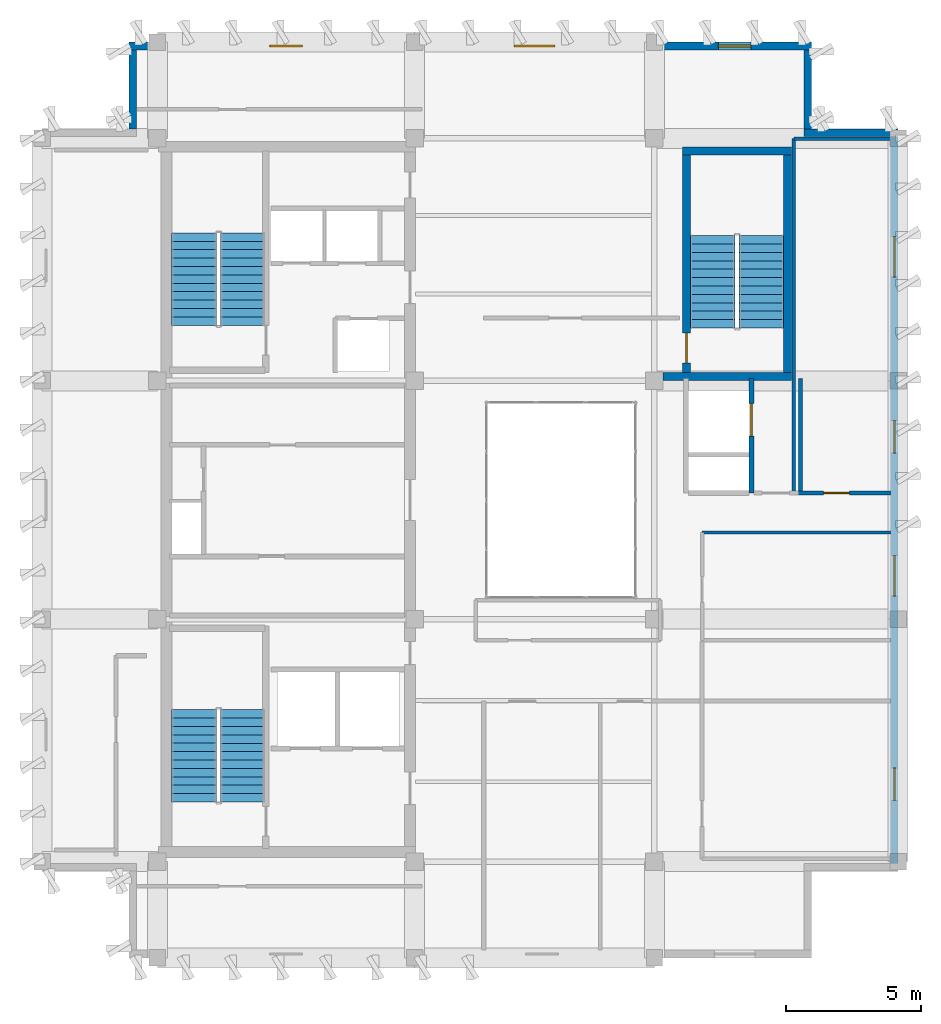
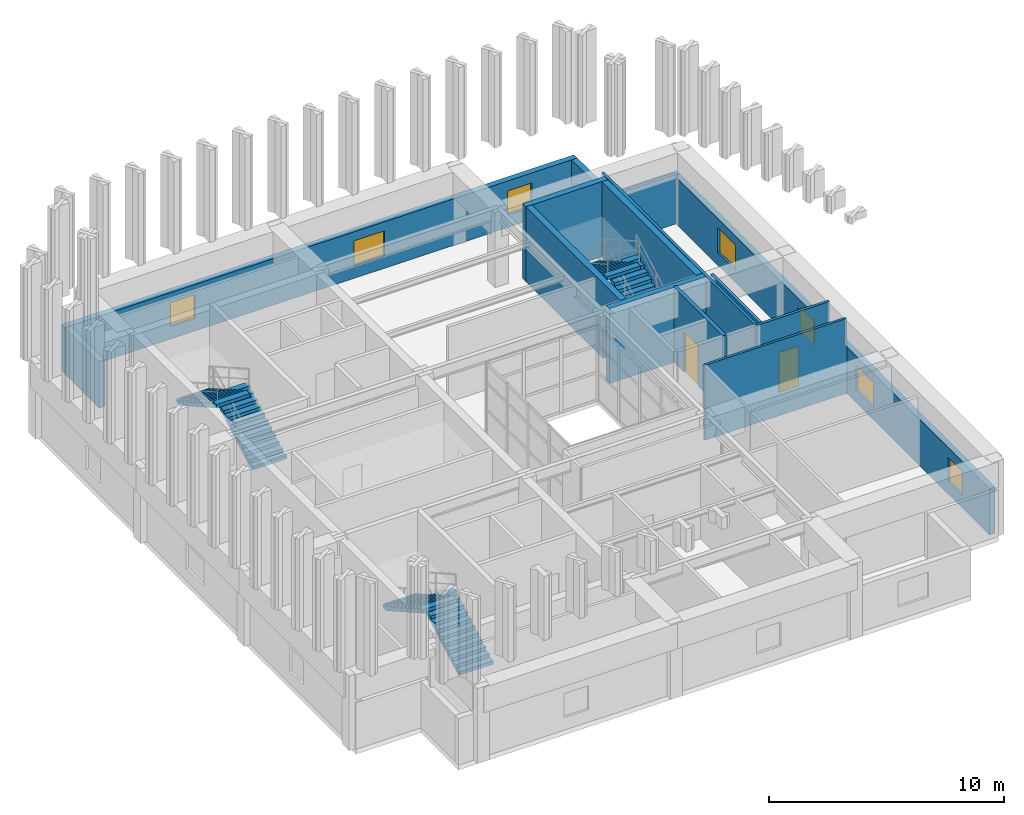
# One storey, part 8 of 11: 15 walls, 7 windows, 6 stair flights, 3 doors, 10 openings, 3 elements without a shape of their own.
"""IFC4 building model written with IfcOpenShell, lengths in metres."""

from ifc_helpers import new_model, si_unit, direction, frame, frame_2d, origin, place, context, subcontext, project, spatial, polyline, rectangle, outline, extrude, material, layer, layer_set, type_object, element, fill, aggregate, save


model = new_model("IFC4")

# Units and contexts
model_context = context("Model", 3, precision=1e-05, world=origin(), true_north=direction((0.0, 1.0)))
body_context = subcontext(model_context, "Body", "Model", "MODEL_VIEW")
ifc_project = project(units=[si_unit("LENGTHUNIT", "METRE"), si_unit("AREAUNIT", "SQUARE_METRE"), si_unit("VOLUMEUNIT", "CUBIC_METRE"), si_unit("PLANEANGLEUNIT", "RADIAN"), si_unit("MASSUNIT", "GRAM", prefix="KILO")], contexts=[model_context])

# Site, building, storey
site_placement = place(None, origin())
site = spatial("IfcSite", under=ifc_project, at=site_placement, CompositionType="ELEMENT")
building_placement = place(site_placement, origin())
building = spatial("IfcBuilding", under=site, at=building_placement, Name="Kundavana Baori Tower", CompositionType="ELEMENT")
storey_placement = place(building_placement, frame((0.0, 0.0, 350.5)))
storey = spatial("IfcBuildingStorey", under=building, at=storey_placement, Name="L87", CompositionType="ELEMENT", Elevation=350.5)

# Wall, openings, windows
ifc_material_1 = material(Name="Red-Buff Dholpur Sandstone Cladding on Concrete C40/50", Category="masonry")
ifc_layer_1 = layer(ifc_material_1, 0.280029296875, Name="WL-EXT-SAND-280")
ifc_layer_set_1 = layer_set([ifc_layer_1], Name="Red-Buff Dholpur Sandstone Cladding on Concrete C40/50")
wall_type_1 = type_object("IfcWallType", Name="WL-EXT-SAND-280", PredefinedType="STANDARD", material=ifc_layer_set_1)
wall_1_placement = place(storey_placement, frame((42.659912109375, 15.179931640625, 0.0), z_axis=(0.0, 0.0, 1.0), x_axis=(0.0, 1.0, 0.0)))
wall_1 = element("IfcWall", 1, at=wall_1_placement, inside=storey, type_object=wall_type_1, Name="L87 Exterior Insulated Facade Wall 04", PredefinedType="STANDARD", context=body_context, shape_type="SweptSolid", body=[
    extrude(rectangle(XDim=26.840087890625, YDim=0.280029296875, at=frame_2d((13.419921875, 0.0))), origin(), (0.0, 0.0, 1.0), 2.419921875),
])
opening_1_placement = place(wall_1_placement, frame((2.3349609375, 0.0, 0.64990234375)))
opening_1 = element("IfcOpeningElement", 2, at=opening_1_placement, cuts=wall_1, Name="Opening W-12", PredefinedType="OPENING", context=body_context, shape_type="SweptSolid", body=[
    extrude(rectangle(XDim=1.199951171875, YDim=1.25, at=frame_2d((0.60009765625, 0.625))), frame((0.0, 0.14990234375, 0.0), z_axis=(0.0, -1.0, 0.0), x_axis=(1.0, 0.0, 0.0)), (0.0, 0.0, 1.0), 0.300048828125),
])
opening_2_placement = place(wall_1_placement, frame((9.8701171875, 0.0, 0.64990234375)))
opening_2 = element("IfcOpeningElement", 3, at=opening_2_placement, cuts=wall_1, Name="Opening W-11", PredefinedType="OPENING", context=body_context, shape_type="SweptSolid", body=[
    extrude(rectangle(XDim=1.5, YDim=1.300048828125, at=frame_2d((0.75, 0.64990234375))), frame((0.0, 0.14990234375, 0.0), z_axis=(0.0, -1.0, 0.0), x_axis=(1.0, 0.0, 0.0)), (0.0, 0.0, 1.0), 0.300048828125),
])
opening_3_placement = place(wall_1_placement, frame((15.14990234375, 0.0, 0.64990234375)))
opening_3 = element("IfcOpeningElement", 4, at=opening_3_placement, cuts=wall_1, Name="Opening W-12", PredefinedType="OPENING", context=body_context, shape_type="SweptSolid", body=[
    extrude(rectangle(XDim=1.199951171875, YDim=1.25, at=frame_2d((0.60009765625, 0.625))), frame((0.0, 0.14990234375, 0.0), z_axis=(0.0, -1.0, 0.0), x_axis=(1.0, 0.0, 0.0)), (0.0, 0.0, 1.0), 0.300048828125),
])
opening_4_placement = place(wall_1_placement, frame((21.64501953125, 0.0, 0.64990234375)))
opening_4 = element("IfcOpeningElement", 5, at=opening_4_placement, cuts=wall_1, Name="Opening W-11", PredefinedType="OPENING", context=body_context, shape_type="SweptSolid", body=[
    extrude(rectangle(XDim=1.5, YDim=1.300048828125, at=frame_2d((0.75, 0.64990234375))), frame((0.0, 0.14990234375, 0.0), z_axis=(0.0, -1.0, 0.0), x_axis=(1.0, 0.0, 0.0)), (0.0, 0.0, 1.0), 0.300048828125),
])
ifc_material_2 = material(Name="Double-Glazed Solar-Control Low-E Insulated Glass", Category="glass")
window_type_1 = type_object("IfcWindowType", Name="WIN-TRN-1200x1250", PartitioningType="SINGLE_PANEL", PredefinedType="WINDOW", material=ifc_material_2)
window_1_placement = place(opening_1_placement, origin())
window_1 = element("IfcWindow", 6, at=window_1_placement, inside=storey, type_object=window_type_1, Name="L87 Recessed Loggia Window E-1", OverallHeight=1.25, OverallWidth=1.199951171875, PartitioningType="SINGLE_PANEL", PredefinedType="WINDOW", context=body_context, shape_type="SweptSolid", body=[
    extrude(rectangle(XDim=1.199951171875, YDim=1.25, at=frame_2d((0.60009765625, 0.625))), frame((0.0, 0.030029296875, 0.0), z_axis=(0.0, -1.0, 0.0), x_axis=(1.0, 0.0, 0.0)), (0.0, 0.0, 1.0), 0.06005859375),
])
fill(opening_1, window_1)
window_2_placement = place(opening_3_placement, origin())
window_2 = element("IfcWindow", 7, at=window_2_placement, inside=storey, type_object=window_type_1, Name="L87 Recessed Loggia Window E-3", OverallHeight=1.25, OverallWidth=1.199951171875, PartitioningType="SINGLE_PANEL", PredefinedType="WINDOW", context=body_context, shape_type="SweptSolid", body=[
    extrude(rectangle(XDim=1.199951171875, YDim=1.25, at=frame_2d((0.60009765625, 0.625))), frame((0.0, 0.030029296875, 0.0), z_axis=(0.0, -1.0, 0.0), x_axis=(1.0, 0.0, 0.0)), (0.0, 0.0, 1.0), 0.06005859375),
])
fill(opening_3, window_2)
ifc_material_3 = material(Name="Double-Glazed Solar-Control Low-E Insulated Glass", Category="glass")
window_type_2 = type_object("IfcWindowType", Name="WIN-TRN-1500x1300", PartitioningType="SINGLE_PANEL", PredefinedType="WINDOW", material=ifc_material_3)
window_3_placement = place(opening_2_placement, origin())
window_3 = element("IfcWindow", 8, at=window_3_placement, inside=storey, type_object=window_type_2, Name="L87 Recessed Loggia Window E-2", OverallHeight=1.300048828125, OverallWidth=1.5, PartitioningType="SINGLE_PANEL", PredefinedType="WINDOW", context=body_context, shape_type="SweptSolid", body=[
    extrude(rectangle(XDim=1.5, YDim=1.300048828125, at=frame_2d((0.75, 0.64990234375))), frame((0.0, 0.030029296875, 0.0), z_axis=(0.0, -1.0, 0.0), x_axis=(1.0, 0.0, 0.0)), (0.0, 0.0, 1.0), 0.06005859375),
])
fill(opening_2, window_3)
window_4_placement = place(opening_4_placement, origin())
window_4 = element("IfcWindow", 9, at=window_4_placement, inside=storey, type_object=window_type_2, Name="L87 Recessed Loggia Window E-4", OverallHeight=1.300048828125, OverallWidth=1.5, PartitioningType="SINGLE_PANEL", PredefinedType="WINDOW", context=body_context, shape_type="SweptSolid", body=[
    extrude(rectangle(XDim=1.5, YDim=1.300048828125, at=frame_2d((0.75, 0.64990234375))), frame((0.0, 0.030029296875, 0.0), z_axis=(0.0, -1.0, 0.0), x_axis=(1.0, 0.0, 0.0)), (0.0, 0.0, 1.0), 0.06005859375),
])
fill(opening_4, window_4)

# Walls
wall_2_placement = place(storey_placement, frame((42.800048828125, 42.159912109375, 0.0), z_axis=(0.0, 0.0, 1.0), x_axis=(-1.0, 0.0, 0.0)))
element("IfcWall", 10, at=wall_2_placement, inside=storey, type_object=wall_type_1, Name="L87 Exterior Insulated Facade Wall 05", PredefinedType="STANDARD", context=body_context, shape_type="SweptSolid", body=[
    extrude(rectangle(XDim=3.47998046875, YDim=0.280029296875, at=frame_2d((1.739990234375, 0.0))), origin(), (0.0, 0.0, 1.0), 2.419921875),
])
wall_3_placement = place(storey_placement, frame((39.4599609375, 42.300048828125, 0.0), z_axis=(0.0, 0.0, 1.0), x_axis=(0.0, 1.0, 0.0)))
element("IfcWall", 11, at=wall_3_placement, inside=storey, type_object=wall_type_1, Name="L87 Exterior Insulated Facade Wall 06", PredefinedType="STANDARD", context=body_context, shape_type="SweptSolid", body=[
    extrude(rectangle(XDim=2.919921875, YDim=0.280029296875, at=frame_2d((1.4599609375, 0.0))), origin(), (0.0, 0.0, 1.0), 2.419921875),
])

# Wall, openings, windows
wall_4_placement = place(storey_placement, frame((39.60009765625, 45.360107421875, 0.0), z_axis=(0.0, 0.0, 1.0), x_axis=(-1.0, 0.0, 0.0)))
wall_4 = element("IfcWall", 12, at=wall_4_placement, inside=storey, type_object=wall_type_1, Name="L87 Exterior Insulated Facade Wall 07", PredefinedType="STANDARD", context=body_context, shape_type="SweptSolid", body=[
    extrude(rectangle(XDim=25.2001953125, YDim=0.280029296875, at=frame_2d((12.60009765625, 0.0))), origin(), (0.0, 0.0, 1.0), 2.419921875),
])
opening_5_placement = place(wall_4_placement, frame((18.800048828125, 0.0, 0.64990234375)))
opening_5 = element("IfcOpeningElement", 13, at=opening_5_placement, cuts=wall_4, Name="Opening W-12", PredefinedType="OPENING", context=body_context, shape_type="SweptSolid", body=[
    extrude(rectangle(XDim=1.199951171875, YDim=1.25, at=frame_2d((0.60009765625, 0.625))), frame((0.0, 0.14990234375, 0.0), z_axis=(0.0, -1.0, 0.0), x_axis=(1.0, 0.0, 0.0)), (0.0, 0.0, 1.0), 0.300048828125),
])
opening_6_placement = place(wall_4_placement, frame((9.47509765625, 0.0, 0.64990234375)))
opening_6 = element("IfcOpeningElement", 14, at=opening_6_placement, cuts=wall_4, Name="Opening W-11", PredefinedType="OPENING", context=body_context, shape_type="SweptSolid", body=[
    extrude(rectangle(XDim=1.5, YDim=1.300048828125, at=frame_2d((0.75, 0.64990234375))), frame((0.0, 0.14990234375, 0.0), z_axis=(0.0, -1.0, 0.0), x_axis=(1.0, 0.0, 0.0)), (0.0, 0.0, 1.0), 0.300048828125),
])
opening_7_placement = place(wall_4_placement, frame((2.235107421875, 0.0, 0.64990234375)))
opening_7 = element("IfcOpeningElement", 15, at=opening_7_placement, cuts=wall_4, Name="Opening W-12", PredefinedType="OPENING", context=body_context, shape_type="SweptSolid", body=[
    extrude(rectangle(XDim=1.199951171875, YDim=1.25, at=frame_2d((0.60009765625, 0.625))), frame((0.0, 0.14990234375, 0.0), z_axis=(0.0, -1.0, 0.0), x_axis=(1.0, 0.0, 0.0)), (0.0, 0.0, 1.0), 0.300048828125),
])
window_5_placement = place(opening_5_placement, origin())
window_5 = element("IfcWindow", 16, at=window_5_placement, inside=storey, type_object=window_type_1, Name="L87 Recessed Loggia Window N-1", OverallHeight=1.25, OverallWidth=1.199951171875, PartitioningType="SINGLE_PANEL", PredefinedType="WINDOW", context=body_context, shape_type="SweptSolid", body=[
    extrude(rectangle(XDim=1.199951171875, YDim=1.25, at=frame_2d((0.60009765625, 0.625))), frame((0.0, 0.030029296875, 0.0), z_axis=(0.0, -1.0, 0.0), x_axis=(1.0, 0.0, 0.0)), (0.0, 0.0, 1.0), 0.06005859375),
])
fill(opening_5, window_5)
window_6_placement = place(opening_7_placement, origin())
window_6 = element("IfcWindow", 17, at=window_6_placement, inside=storey, type_object=window_type_1, Name="L87 Recessed Loggia Window N-3", OverallHeight=1.25, OverallWidth=1.199951171875, PartitioningType="SINGLE_PANEL", PredefinedType="WINDOW", context=body_context, shape_type="SweptSolid", body=[
    extrude(rectangle(XDim=1.199951171875, YDim=1.25, at=frame_2d((0.60009765625, 0.625))), frame((0.0, 0.030029296875, 0.0), z_axis=(0.0, -1.0, 0.0), x_axis=(1.0, 0.0, 0.0)), (0.0, 0.0, 1.0), 0.06005859375),
])
fill(opening_7, window_6)
window_7_placement = place(opening_6_placement, origin())
window_7 = element("IfcWindow", 18, at=window_7_placement, inside=storey, type_object=window_type_2, Name="L87 Recessed Loggia Window N-2", OverallHeight=1.300048828125, OverallWidth=1.5, PartitioningType="SINGLE_PANEL", PredefinedType="WINDOW", context=body_context, shape_type="SweptSolid", body=[
    extrude(rectangle(XDim=1.5, YDim=1.300048828125, at=frame_2d((0.75, 0.64990234375))), frame((0.0, 0.030029296875, 0.0), z_axis=(0.0, -1.0, 0.0), x_axis=(1.0, 0.0, 0.0)), (0.0, 0.0, 1.0), 0.06005859375),
])
fill(opening_6, window_7)

# Walls
wall_5_placement = place(storey_placement, frame((14.5400390625, 45.219970703125, 0.0), z_axis=(0.0, 0.0, 1.0), x_axis=(0.0, -1.0, 0.0)))
element("IfcWall", 19, at=wall_5_placement, inside=storey, type_object=wall_type_1, Name="L87 Exterior Insulated Facade Wall 08", PredefinedType="STANDARD", context=body_context, shape_type="SweptSolid", body=[
    extrude(rectangle(XDim=2.919921875, YDim=0.280029296875, at=frame_2d((1.4599609375, 0.0))), origin(), (0.0, 0.0, 1.0), 2.419921875),
])
ifc_material_4 = material(Name="Acoustic Gypsum Plasterboard on Galvanised Steel Studs", Category="steel")
ifc_layer_2 = layer(ifc_material_4, 0.135009765625, Name="WL-PART-135")
ifc_layer_set_2 = layer_set([ifc_layer_2], Name="Acoustic Gypsum Plasterboard on Galvanised Steel Studs")
wall_type_2 = type_object("IfcWallType", Name="WL-PART-135", PredefinedType="PARTITIONING", material=ifc_layer_set_2)
wall_6_placement = place(storey_placement, frame((38.949951171875, 28.860107421875, 0.0), z_axis=(0.0, 0.0, 1.0), x_axis=(0.0, 1.0, 0.0)))
element("IfcWall", 20, at=wall_6_placement, inside=storey, type_object=wall_type_2, Name="WL-L87-NEW", PredefinedType="PARTITIONING", context=body_context, shape_type="SweptSolid", body=[
    extrude(rectangle(XDim=13.079833984375, YDim=0.135009765625, at=frame_2d((6.5400390625, 0.0))), origin(), (0.0, 0.0, 1.0), 3.89990234375),
])

# Wall, opening, door
wall_7_placement = place(storey_placement, frame((38.949951171875, 28.860107421875, 0.0), z_axis=(0.0, 0.0, 1.0), x_axis=(1.0, 0.0, 0.0)))
wall_7 = element("IfcWall", 21, at=wall_7_placement, inside=storey, type_object=wall_type_2, Name="WL-L87-NES", PredefinedType="PARTITIONING", context=body_context, shape_type="SweptSolid", body=[
    extrude(rectangle(XDim=3.570068359375, YDim=0.135009765625, at=frame_2d((1.78515625, 0.0))), origin(), (0.0, 0.0, 1.0), 3.89990234375),
])
opening_8_placement = place(wall_7_placement, frame((1.10009765625, 0.0, 0.0)))
opening_8 = element("IfcOpeningElement", 22, at=opening_8_placement, cuts=wall_7, Name="Opening ID-095", PredefinedType="OPENING", context=body_context, shape_type="SweptSolid", body=[
    extrude(rectangle(XDim=0.949951171875, YDim=2.080078125, at=frame_2d((0.47509765625, 1.0400390625))), frame((0.0, 0.07763671875, 0.0), z_axis=(0.0, -1.0, 0.0), x_axis=(1.0, 0.0, 0.0)), (0.0, 0.0, 1.0), 0.155029296875),
])
ifc_material_5 = material(Name="Engineered Teak Solid-Core Timber Veneer", Category="wood")
door_type_1 = type_object("IfcDoorType", Name="DR-INT-950", OperationType="NOTDEFINED", PredefinedType="DOOR", material=ifc_material_5)
door_1_placement = place(opening_8_placement, origin())
door_1 = element("IfcDoor", 23, at=door_1_placement, inside=storey, type_object=door_type_1, Name="DR-L87-OBNE", OperationType="SINGLE_SWING_LEFT", OverallHeight=2.080078125, OverallWidth=0.949951171875, PredefinedType="DOOR", context=body_context, shape_type="SweptSolid", body=[
    extrude(rectangle(XDim=0.949951171875, YDim=2.080078125, at=frame_2d((0.47509765625, 1.0400390625))), frame((0.0, 0.02490234375, 0.0), z_axis=(0.0, -1.0, 0.0), x_axis=(1.0, 0.0, 0.0)), (0.0, 0.0, 1.0), 0.050048828125),
])
fill(opening_8, door_1)

# Walls
wall_8_placement = place(storey_placement, frame((38.949951171875, 41.93994140625, 0.0), z_axis=(0.0, 0.0, 1.0), x_axis=(1.0, 0.0, 0.0)))
element("IfcWall", 24, at=wall_8_placement, inside=storey, type_object=wall_type_2, Name="WL-L87-NEN", PredefinedType="PARTITIONING", context=body_context, shape_type="SweptSolid", body=[
    extrude(rectangle(XDim=3.570068359375, YDim=0.135009765625, at=frame_2d((1.78515625, 0.0))), origin(), (0.0, 0.0, 1.0), 2.580078125),
])
ifc_material_6 = material(Name="Fire-Rated Gypsum Drywall on Galvanised Steel Studs", Category="steel")
ifc_layer_3 = layer(ifc_material_6, 0.14990234375, Name="WL-PART-150")
ifc_layer_set_3 = layer_set([ifc_layer_3], Name="Fire-Rated Gypsum Drywall on Galvanised Steel Studs")
wall_type_3 = type_object("IfcWallType", Name="WL-PART-150", PredefinedType="PARTITIONING", material=ifc_layer_set_3)
wall_9_placement = place(storey_placement, frame((39.199951171875, 28.860107421875, 0.0), z_axis=(0.0, 0.0, 1.0), x_axis=(0.0, 1.0, 0.0)))
element("IfcWall", 25, at=wall_9_placement, inside=storey, type_object=wall_type_3, Name="WL-L87-SVLOB-E", PredefinedType="PARTITIONING", context=body_context, shape_type="SweptSolid", body=[
    extrude(rectangle(XDim=4.219970703125, YDim=0.14990234375, at=frame_2d((2.10986328125, 0.0))), origin(), (0.0, 0.0, 1.0), 3.89990234375),
])

# Wall, opening, door
ifc_material_7 = material(Name="Autoclaved Aerated Concrete Blockwork Masonry", Category="masonry")
ifc_layer_4 = layer(ifc_material_7, 0.179931640625, Name="WL-SHAFT-180")
ifc_layer_set_4 = layer_set([ifc_layer_4], Name="Autoclaved Aerated Concrete Blockwork Masonry")
wall_type_4 = type_object("IfcWallType", Name="WL-SHAFT-180", PredefinedType="SOLIDWALL", material=ifc_layer_set_4)
wall_10_placement = place(storey_placement, frame((37.389892578125, 28.860107421875, 0.0), z_axis=(0.0, 0.0, 1.0), x_axis=(0.0, 1.0, 0.0)))
wall_10 = element("IfcWall", 26, at=wall_10_placement, inside=storey, type_object=wall_type_4, Name="WL-L87-SVL-E", PredefinedType="SOLIDWALL", context=body_context, shape_type="SweptSolid", body=[
    extrude(rectangle(XDim=4.219970703125, YDim=0.179931640625, at=frame_2d((2.10986328125, 0.0))), origin(), (0.0, 0.0, 1.0), 3.89990234375),
])
opening_9_placement = place(wall_10_placement, frame((2.10009765625, 0.0, 0.0)))
opening_9 = element("IfcOpeningElement", 27, at=opening_9_placement, cuts=wall_10, Name="Opening LD-120", PredefinedType="OPENING", context=body_context, shape_type="SweptSolid", body=[
    extrude(rectangle(XDim=1.199951171875, YDim=2.1201171875, at=frame_2d((0.60009765625, 1.06005859375))), frame((0.0, 0.10009765625, 0.0), z_axis=(0.0, -1.0, 0.0), x_axis=(1.0, 0.0, 0.0)), (0.0, 0.0, 1.0), 0.199951171875),
])
ifc_material_8 = material(Name="Galvanised Steel Fire-Rated Door Leaf", Category="steel")
door_type_2 = type_object("IfcDoorType", Name="DR-SLIDE-LD1200", OperationType="NOTDEFINED", PredefinedType="DOOR", material=ifc_material_8)
door_2_placement = place(opening_9_placement, frame((1.199951171875, 0.0, 0.0), z_axis=(0.0, 0.0, 1.0), x_axis=(-1.0, 0.0, 0.0)))
door_2 = element("IfcDoor", 28, at=door_2_placement, inside=storey, type_object=door_type_2, Name="DR-L87-LD-SVL1", OperationType="DOUBLE_DOOR_SLIDING", OverallHeight=2.1201171875, OverallWidth=1.199951171875, PredefinedType="DOOR", context=body_context, shape_type="SweptSolid", body=[
    extrude(rectangle(XDim=1.199951171875, YDim=2.1201171875, at=frame_2d((0.60009765625, 1.06005859375))), frame((0.0, 0.02490234375, 0.0), z_axis=(0.0, -1.0, 0.0), x_axis=(1.0, 0.0, 0.0)), (0.0, 0.0, 1.0), 0.050048828125),
])
fill(opening_9, door_2)

# Walls
ifc_material_9 = material(Name="Concrete C50/60", Category="concrete")
ifc_layer_5 = layer(ifc_material_9, 0.300048828125, Name="WL-ST3-300")
ifc_layer_set_5 = layer_set([ifc_layer_5], Name="Concrete C50/60")
wall_type_5 = type_object("IfcWallType", Name="WL-ST3-300", PredefinedType="SHEAR", material=ifc_layer_set_5)
wall_11_placement = place(storey_placement, frame((34.125, 33.159912109375, 0.0), z_axis=(0.0, 0.0, 1.0), x_axis=(1.0, 0.0, 0.0)))
element("IfcWall", 29, at=wall_11_placement, inside=storey, type_object=wall_type_5, Name="L87 Stair ST3 South Shear Wall", PredefinedType="SHEAR", context=body_context, shape_type="SweptSolid", body=[
    extrude(rectangle(XDim=4.7451171875, YDim=0.300048828125, at=frame_2d((2.37255859375, 0.0))), origin(), (0.0, 0.0, 1.0), 3.89990234375),
])
wall_12_placement = place(storey_placement, frame((34.830078125, 41.489990234375, 0.0), z_axis=(0.0, 0.0, 1.0), x_axis=(1.0, 0.0, 0.0)))
element("IfcWall", 30, at=wall_12_placement, inside=storey, type_object=wall_type_5, Name="L87 Stair ST3 North Shear Wall", PredefinedType="SHEAR", context=body_context, shape_type="SweptSolid", body=[
    extrude(rectangle(XDim=4.0400390625, YDim=0.300048828125, at=frame_2d((2.02001953125, 0.0))), origin(), (0.0, 0.0, 1.0), 3.89990234375),
])

# Wall, opening, door
wall_13_placement = place(storey_placement, frame((34.97998046875, 33.31005859375, 0.0), z_axis=(0.0, 0.0, 1.0), x_axis=(0.0, 1.0, 0.0)))
wall_13 = element("IfcWall", 31, at=wall_13_placement, inside=storey, type_object=wall_type_5, Name="L87 Stair ST3 West Shear Wall", PredefinedType="SHEAR", context=body_context, shape_type="SweptSolid", body=[
    extrude(rectangle(XDim=8.030029296875, YDim=0.300048828125, at=frame_2d((4.01513671875, 0.0))), origin(), (0.0, 0.0, 1.0), 3.89990234375),
])
opening_10_placement = place(wall_13_placement, frame((0.35009765625, 0.0, 0.0)))
opening_10 = element("IfcOpeningElement", 32, at=opening_10_placement, cuts=wall_13, Name="Opening FD-110", PredefinedType="OPENING", context=body_context, shape_type="SweptSolid", body=[
    extrude(rectangle(XDim=1.10009765625, YDim=2.10009765625, at=frame_2d((0.550048828125, 1.050048828125))), frame((0.0, 0.16015625, 0.0), z_axis=(0.0, -1.0, 0.0), x_axis=(1.0, 0.0, 0.0)), (0.0, 0.0, 1.0), 0.320068359375),
])
ifc_material_10 = material(Name="Galvanised Steel Fire-Rated Door Leaf", Category="steel")
door_type_3 = type_object("IfcDoorType", Name="DR-FD120-1100", OperationType="NOTDEFINED", PredefinedType="DOOR", material=ifc_material_10)
door_3_placement = place(opening_10_placement, origin())
door_3 = element("IfcDoor", 33, at=door_3_placement, inside=storey, type_object=door_type_3, Name="DR-L87-ST3-W", OperationType="SINGLE_SWING_LEFT", OverallHeight=2.10009765625, OverallWidth=1.10009765625, PredefinedType="DOOR", context=body_context, shape_type="SweptSolid", body=[
    extrude(rectangle(XDim=1.10009765625, YDim=2.10009765625, at=frame_2d((0.550048828125, 1.050048828125))), frame((0.0, 0.02490234375, 0.0), z_axis=(0.0, -1.0, 0.0), x_axis=(1.0, 0.0, 0.0)), (0.0, 0.0, 1.0), 0.050048828125),
])
fill(opening_10, door_3)

# Walls
wall_14_placement = place(storey_placement, frame((38.719970703125, 33.31005859375, 0.0), z_axis=(0.0, 0.0, 1.0), x_axis=(0.0, 1.0, 0.0)))
element("IfcWall", 34, at=wall_14_placement, inside=storey, type_object=wall_type_5, Name="L87 Stair ST3 East Shear Wall", PredefinedType="SHEAR", context=body_context, shape_type="SweptSolid", body=[
    extrude(rectangle(XDim=8.030029296875, YDim=0.300048828125, at=frame_2d((4.01513671875, 0.0))), origin(), (0.0, 0.0, 1.0), 3.89990234375),
])
ifc_material_11 = material(Name="Autoclaved Aerated Concrete Blockwork Masonry", Category="masonry")
ifc_layer_6 = layer(ifc_material_11, 0.125, Name="WL-WET-120")
ifc_layer_set_6 = layer_set([ifc_layer_6], Name="Autoclaved Aerated Concrete Blockwork Masonry")
wall_type_6 = type_object("IfcWallType", Name="WL-WET-120", PredefinedType="PLUMBINGWALL", material=ifc_layer_set_6)
wall_15_placement = place(storey_placement, frame((35.56005859375, 27.39990234375, 0.0), z_axis=(0.0, 0.0, 1.0), x_axis=(1.0, 0.0, 0.0)))
element("IfcWall", 35, at=wall_15_placement, inside=storey, type_object=wall_type_6, Name="WL-L87-WCN", PredefinedType="PLUMBINGWALL", context=body_context, shape_type="SweptSolid", body=[
    extrude(rectangle(XDim=6.9599609375, YDim=0.125, at=frame_2d((3.47998046875, 0.0))), origin(), (0.0, 0.0, 1.0), 3.89990234375),
])

# Stair, stair flights
ifc_material_12 = material(Name="Concrete C40/50", Category="concrete")
stair_type = type_object("IfcStairType", Name="STR-DOG-1650", PredefinedType="HALF_TURN_STAIR", material=ifc_material_12)
stair_1_placement = place(storey_placement, origin())
stair_1 = element("IfcStair", 36, at=stair_1_placement, inside=storey, type_object=stair_type, Name="L87 Protected Exit Stair ST1", PredefinedType="HALF_TURN_STAIR")
ifc_material_13 = material(Name="Concrete C40/50", Category="concrete")
stair_flight_type = type_object("IfcStairFlightType", Name="SFL-RC-1650", PredefinedType="STRAIGHT", material=ifc_material_13)
stair_flight_1_placement = place(storey_placement, frame((18.614990234375, 17.449951171875, 0.0), z_axis=(0.0, 0.0, 1.0), x_axis=(0.0, 1.0, 0.0)))
stair_flight_1 = element("IfcStairFlight", 37, at=stair_flight_1_placement, type_object=stair_flight_type, Name="ST1 flight 1", NumberOfRisers=12, NumberOfTreads=11, PredefinedType="STRAIGHT", RiserHeight=0.175, TreadLength=0.31, context=body_context, shape_type="SweptSolid", body=[
    extrude(outline(polyline([(0.0, 0.0), (0.0, 0.175048828125), (0.31005859375, 0.175048828125), (0.31005859375, 0.35009765625), (0.6201171875, 0.35009765625), (0.6201171875, 0.52490234375), (0.929931640625, 0.52490234375), (0.929931640625, 0.699951171875), (1.239990234375, 0.699951171875), (1.239990234375, 0.875), (1.550048828125, 0.875), (1.550048828125, 1.050048828125), (1.860107421875, 1.050048828125), (1.860107421875, 1.22509765625), (2.169921875, 1.22509765625), (2.169921875, 1.39990234375), (2.47998046875, 1.39990234375), (2.47998046875, 1.574951171875), (2.7900390625, 1.574951171875), (2.7900390625, 1.75), (3.10009765625, 1.75), (3.10009765625, 1.925048828125), (3.409912109375, 1.925048828125), (3.409912109375, 2.10009765625), (3.409912109375, 1.7529296875), (0.304931640625, 0.0), (0.0, 0.0)])), frame((0.0, 0.824951171875, 0.0), z_axis=(0.0, -1.0, 0.0), x_axis=(1.0, 0.0, 0.0)), (0.0, 0.0, 1.0), 1.64990234375),
])
stair_flight_2_placement = place(storey_placement, frame((16.804931640625, 20.860107421875, 2.10009765625), z_axis=(0.0, 0.0, 1.0), x_axis=(0.0, -1.0, 0.0)))
stair_flight_2 = element("IfcStairFlight", 38, at=stair_flight_2_placement, type_object=stair_flight_type, Name="ST1 flight 2", NumberOfRisers=12, NumberOfTreads=11, PredefinedType="STRAIGHT", RiserHeight=0.175, TreadLength=0.31, context=body_context, shape_type="SweptSolid", body=[
    extrude(outline(polyline([(0.0, 0.0), (0.0, 0.175048828125), (0.31005859375, 0.175048828125), (0.31005859375, 0.35009765625), (0.6201171875, 0.35009765625), (0.6201171875, 0.52490234375), (0.929931640625, 0.52490234375), (0.929931640625, 0.699951171875), (1.239990234375, 0.699951171875), (1.239990234375, 0.875), (1.550048828125, 0.875), (1.550048828125, 1.050048828125), (1.860107421875, 1.050048828125), (1.860107421875, 1.22509765625), (2.169921875, 1.22509765625), (2.169921875, 1.39990234375), (2.47998046875, 1.39990234375), (2.47998046875, 1.574951171875), (2.7900390625, 1.574951171875), (2.7900390625, 1.75), (3.10009765625, 1.75), (3.10009765625, 1.925048828125), (3.409912109375, 1.925048828125), (3.409912109375, 2.10009765625), (3.409912109375, 1.7529296875), (0.304931640625, 0.0), (0.0, 0.0)])), frame((0.0, 0.824951171875, 0.0), z_axis=(0.0, -1.0, 0.0), x_axis=(1.0, 0.0, 0.0)), (0.0, 0.0, 1.0), 1.64990234375),
])
aggregate(stair_1, [stair_flight_1, stair_flight_2])

stair_2_placement = place(storey_placement, origin())
stair_2 = element("IfcStair", 39, at=stair_2_placement, inside=storey, type_object=stair_type, Name="L87 Protected Exit Stair ST2", PredefinedType="HALF_TURN_STAIR")
stair_flight_3_placement = place(storey_placement, frame((18.614990234375, 35.050048828125, 0.0), z_axis=(0.0, 0.0, 1.0), x_axis=(0.0, 1.0, 0.0)))
stair_flight_3 = element("IfcStairFlight", 40, at=stair_flight_3_placement, type_object=stair_flight_type, Name="ST2 flight 1", NumberOfRisers=12, NumberOfTreads=11, PredefinedType="STRAIGHT", RiserHeight=0.175, TreadLength=0.31, context=body_context, shape_type="SweptSolid", body=[
    extrude(outline(polyline([(0.0, 0.0), (0.0, 0.175048828125), (0.31005859375, 0.175048828125), (0.31005859375, 0.35009765625), (0.6201171875, 0.35009765625), (0.6201171875, 0.52490234375), (0.929931640625, 0.52490234375), (0.929931640625, 0.699951171875), (1.239990234375, 0.699951171875), (1.239990234375, 0.875), (1.550048828125, 0.875), (1.550048828125, 1.050048828125), (1.860107421875, 1.050048828125), (1.860107421875, 1.22509765625), (2.169921875, 1.22509765625), (2.169921875, 1.39990234375), (2.47998046875, 1.39990234375), (2.47998046875, 1.574951171875), (2.7900390625, 1.574951171875), (2.7900390625, 1.75), (3.10009765625, 1.75), (3.10009765625, 1.925048828125), (3.409912109375, 1.925048828125), (3.409912109375, 2.10009765625), (3.409912109375, 1.7529296875), (0.304931640625, 0.0), (0.0, 0.0)])), frame((0.0, 0.824951171875, 0.0), z_axis=(0.0, -1.0, 0.0), x_axis=(1.0, 0.0, 0.0)), (0.0, 0.0, 1.0), 1.64990234375),
])
stair_flight_4_placement = place(storey_placement, frame((16.804931640625, 38.4599609375, 2.10009765625), z_axis=(0.0, 0.0, 1.0), x_axis=(0.0, -1.0, 0.0)))
stair_flight_4 = element("IfcStairFlight", 41, at=stair_flight_4_placement, type_object=stair_flight_type, Name="ST2 flight 2", NumberOfRisers=12, NumberOfTreads=11, PredefinedType="STRAIGHT", RiserHeight=0.175, TreadLength=0.31, context=body_context, shape_type="SweptSolid", body=[
    extrude(outline(polyline([(0.0, 0.0), (0.0, 0.175048828125), (0.31005859375, 0.175048828125), (0.31005859375, 0.35009765625), (0.6201171875, 0.35009765625), (0.6201171875, 0.52490234375), (0.929931640625, 0.52490234375), (0.929931640625, 0.699951171875), (1.239990234375, 0.699951171875), (1.239990234375, 0.875), (1.550048828125, 0.875), (1.550048828125, 1.050048828125), (1.860107421875, 1.050048828125), (1.860107421875, 1.22509765625), (2.169921875, 1.22509765625), (2.169921875, 1.39990234375), (2.47998046875, 1.39990234375), (2.47998046875, 1.574951171875), (2.7900390625, 1.574951171875), (2.7900390625, 1.75), (3.10009765625, 1.75), (3.10009765625, 1.925048828125), (3.409912109375, 1.925048828125), (3.409912109375, 2.10009765625), (3.409912109375, 1.7529296875), (0.304931640625, 0.0), (0.0, 0.0)])), frame((0.0, 0.824951171875, 0.0), z_axis=(0.0, -1.0, 0.0), x_axis=(1.0, 0.0, 0.0)), (0.0, 0.0, 1.0), 1.64990234375),
])
aggregate(stair_2, [stair_flight_3, stair_flight_4])

stair_3_placement = place(storey_placement, origin())
stair_3 = element("IfcStair", 42, at=stair_3_placement, inside=storey, type_object=stair_type, Name="L87 Protected Exit Stair ST3", PredefinedType="HALF_TURN_STAIR")
stair_flight_5_placement = place(storey_placement, frame((37.7548828125, 34.949951171875, 0.0), z_axis=(0.0, 0.0, 1.0), x_axis=(0.0, 1.0, 0.0)))
stair_flight_5 = element("IfcStairFlight", 43, at=stair_flight_5_placement, type_object=stair_flight_type, Name="ST3 flight 1", NumberOfRisers=12, NumberOfTreads=11, PredefinedType="STRAIGHT", RiserHeight=0.175, TreadLength=0.31, context=body_context, shape_type="SweptSolid", body=[
    extrude(outline(polyline([(0.0, 0.0), (0.0, 0.175048828125), (0.31005859375, 0.175048828125), (0.31005859375, 0.35009765625), (0.6201171875, 0.35009765625), (0.6201171875, 0.52490234375), (0.929931640625, 0.52490234375), (0.929931640625, 0.699951171875), (1.239990234375, 0.699951171875), (1.239990234375, 0.875), (1.550048828125, 0.875), (1.550048828125, 1.050048828125), (1.860107421875, 1.050048828125), (1.860107421875, 1.22509765625), (2.169921875, 1.22509765625), (2.169921875, 1.39990234375), (2.47998046875, 1.39990234375), (2.47998046875, 1.574951171875), (2.7900390625, 1.574951171875), (2.7900390625, 1.75), (3.10009765625, 1.75), (3.10009765625, 1.925048828125), (3.409912109375, 1.925048828125), (3.409912109375, 2.10009765625), (3.409912109375, 1.7529296875), (0.304931640625, 0.0), (0.0, 0.0)])), frame((0.0, 0.824951171875, 0.0), z_axis=(0.0, -1.0, 0.0), x_axis=(1.0, 0.0, 0.0)), (0.0, 0.0, 1.0), 1.64990234375),
])
stair_flight_6_placement = place(storey_placement, frame((35.945068359375, 38.360107421875, 2.10009765625), z_axis=(0.0, 0.0, 1.0), x_axis=(0.0, -1.0, 0.0)))
stair_flight_6 = element("IfcStairFlight", 44, at=stair_flight_6_placement, type_object=stair_flight_type, Name="ST3 flight 2", NumberOfRisers=12, NumberOfTreads=11, PredefinedType="STRAIGHT", RiserHeight=0.175, TreadLength=0.31, context=body_context, shape_type="SweptSolid", body=[
    extrude(outline(polyline([(0.0, 0.0), (0.0, 0.175048828125), (0.31005859375, 0.175048828125), (0.31005859375, 0.35009765625), (0.6201171875, 0.35009765625), (0.6201171875, 0.52490234375), (0.929931640625, 0.52490234375), (0.929931640625, 0.699951171875), (1.239990234375, 0.699951171875), (1.239990234375, 0.875), (1.550048828125, 0.875), (1.550048828125, 1.050048828125), (1.860107421875, 1.050048828125), (1.860107421875, 1.22509765625), (2.169921875, 1.22509765625), (2.169921875, 1.39990234375), (2.47998046875, 1.39990234375), (2.47998046875, 1.574951171875), (2.7900390625, 1.574951171875), (2.7900390625, 1.75), (3.10009765625, 1.75), (3.10009765625, 1.925048828125), (3.409912109375, 1.925048828125), (3.409912109375, 2.10009765625), (3.409912109375, 1.7529296875), (0.304931640625, 0.0), (0.0, 0.0)])), frame((0.0, 0.824951171875, 0.0), z_axis=(0.0, -1.0, 0.0), x_axis=(1.0, 0.0, 0.0)), (0.0, 0.0, 1.0), 1.64990234375),
])
aggregate(stair_3, [stair_flight_5, stair_flight_6])

save(model, "model.ifc")
